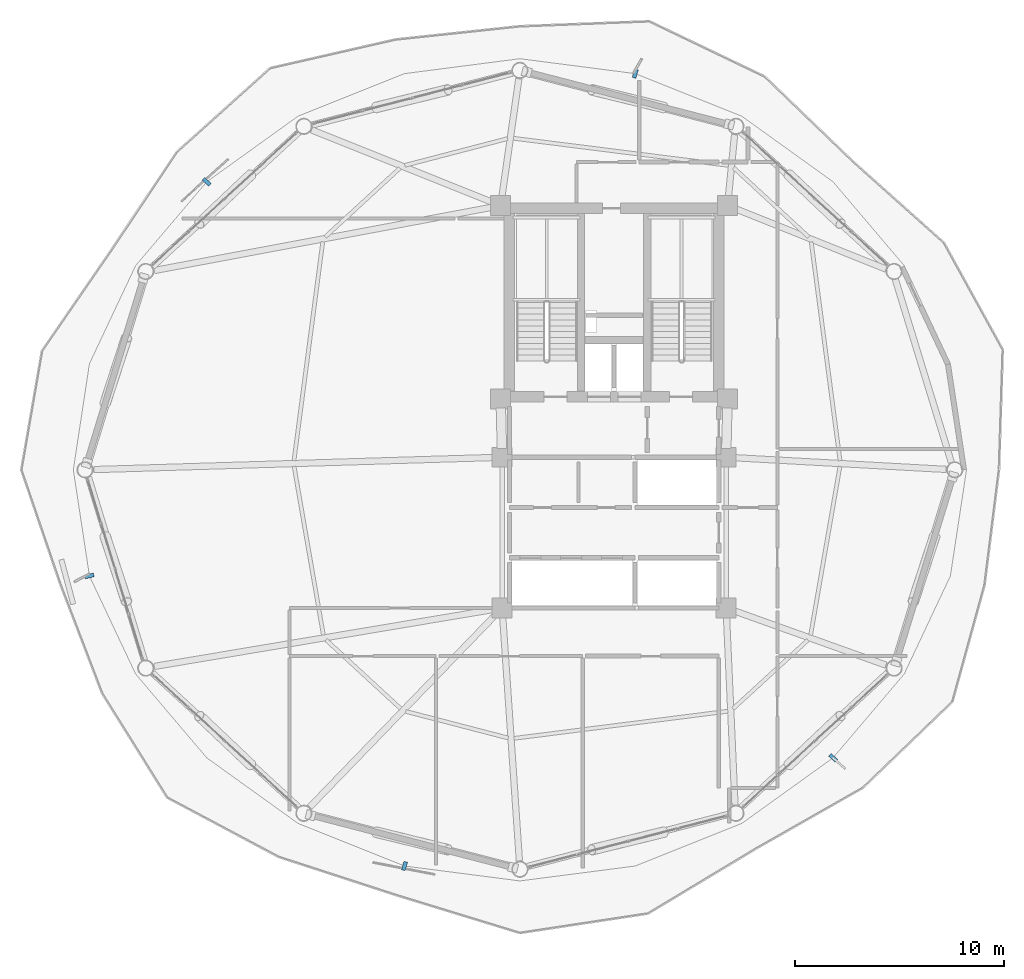
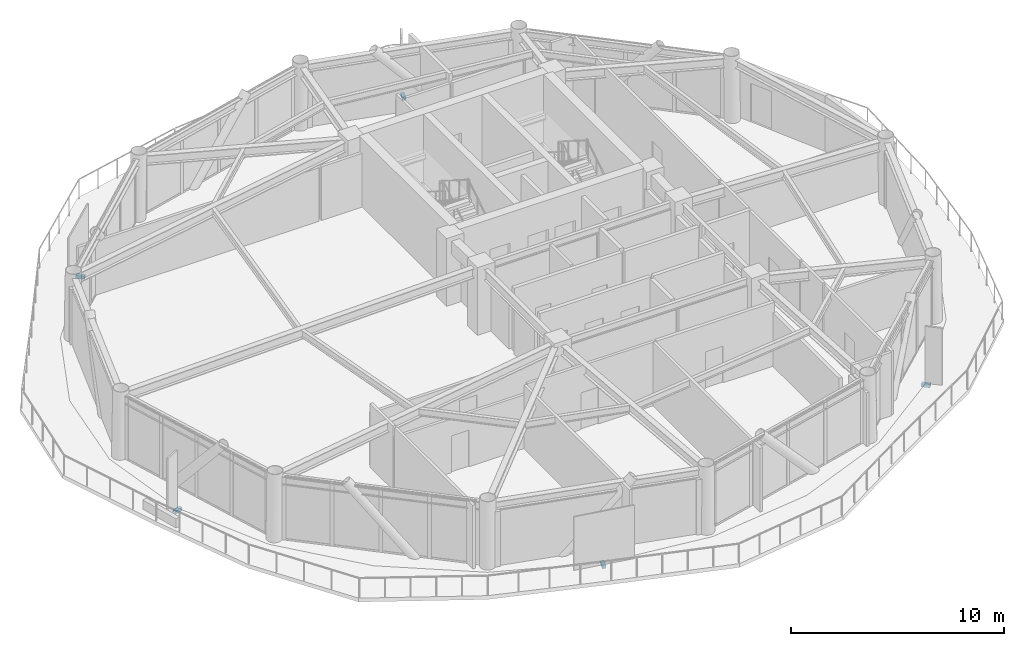
# One storey, part 20 of 23: 5 discrete accessories.
"""IFC4 building model written with IfcOpenShell, lengths in metres."""

import ifcopenshell
import ifcopenshell.guid

model = None  # the IFC model being written
_history = None  # IfcOwnerHistory: only IFC2X3 demands one
_inside = {}  # id of a spatial element -> (the spatial element, [elements in it])
_under = {}  # id of a project, library or spatial element -> (it, [spatial elements below it])
_declared = {}  # id of a project -> (the project, [libraries it declares])
_typed = {}  # id of a type object -> (the type object, [elements of that type])
_made_of = {}  # id of a material, layer set ... -> (it, [elements and type objects made of it])


def new_model(schema):
    """Start an empty IFC model of exactly this schema.

    Asked for "IFC4X3", IfcOpenShell would pick the latest addendum, in which some entities
    have other attributes; the version numbers below select the first issue.
    IFC2X3 requires an IfcOwnerHistory on every rooted entity: one is made here for all.
    """
    global model, _history
    if schema == "IFC4X3":
        model = ifcopenshell.file(schema_version=(4, 3, 0, 0))
    else:
        model = ifcopenshell.file(schema=schema)
    _inside.clear()
    _under.clear()
    _declared.clear()
    _typed.clear()
    _made_of.clear()
    _history = None
    if model.schema == "IFC2X3":
        org = make("IfcOrganization", Name="unknown")
        user = make(
            "IfcPersonAndOrganization",
            ThePerson=make("IfcPerson", FamilyName="unknown"),
            TheOrganization=org,
        )
        app = make(
            "IfcApplication",
            ApplicationDeveloper=org,
            Version="unknown",
            ApplicationFullName="unknown",
            ApplicationIdentifier="unknown",
        )
        _history = make(
            "IfcOwnerHistory",
            OwningUser=user,
            OwningApplication=app,
            ChangeAction="ADDED",
            CreationDate=0,
        )
    return model


def make(cls, **values):
    """One entity of the class cls with the attributes given. An attribute that is None is left unset."""
    return model.create_entity(
        cls, **{name: value for name, value in values.items() if value is not None}
    )


def rooted(cls, **values):
    """An entity with a GlobalId (a new one), such as an element, a storey or a relation."""
    return make(cls, GlobalId=ifcopenshell.guid.new(), OwnerHistory=_history, **values)


def si_unit(unit_type, name, prefix=None):
    """IfcSIUnit, for example si_unit("LENGTHUNIT", "METRE", prefix="MILLI")."""
    return make("IfcSIUnit", UnitType=unit_type, Prefix=prefix, Name=name)


def assignment(units):
    """IfcUnitAssignment: the units of a project."""
    return None if units is None else make("IfcUnitAssignment", Units=units)


def point(xyz):
    """IfcCartesianPoint."""
    return None if xyz is None else make("IfcCartesianPoint", Coordinates=xyz)


def direction(xyz):
    """IfcDirection."""
    return None if xyz is None else make("IfcDirection", DirectionRatios=xyz)


def frame(location, z_axis=None, x_axis=None):
    """IfcAxis2Placement3D, a coordinate frame: its origin and axes. An axis left out is left unset."""
    return make(
        "IfcAxis2Placement3D",
        Location=point(location),
        Axis=direction(z_axis),
        RefDirection=direction(x_axis),
    )


def frame_2d(location, x_axis=None):
    """IfcAxis2Placement2D, a coordinate frame in the plane: its origin and x axis."""
    return make(
        "IfcAxis2Placement2D", Location=point(location), RefDirection=direction(x_axis)
    )


def origin():
    """The frame at (0, 0, 0) with its axes left unset."""
    return frame((0.0, 0.0, 0.0))


def origin_2d():
    """The frame at (0, 0) in the plane with its x axis left unset."""
    return frame_2d((0.0, 0.0))


def place(relative_to, where):
    """IfcLocalPlacement: puts the frame where relative to a parent placement (None: the world)."""
    return make(
        "IfcLocalPlacement", PlacementRelTo=relative_to, RelativePlacement=where
    )


def context(
    kind, dimensions, precision=None, world=None, true_north=None, identifier=None
):
    """IfcGeometricRepresentationContext, for example the 3D "Model" context."""
    return make(
        "IfcGeometricRepresentationContext",
        ContextIdentifier=identifier,
        ContextType=kind,
        CoordinateSpaceDimension=dimensions,
        Precision=precision,
        WorldCoordinateSystem=world,
        TrueNorth=true_north,
    )


def subcontext(parent, identifier, kind, view, scale=None):
    """IfcGeometricRepresentationSubContext, for example "Body" below "Model"."""
    return make(
        "IfcGeometricRepresentationSubContext",
        ContextIdentifier=identifier,
        ContextType=kind,
        ParentContext=parent,
        TargetScale=scale,
        TargetView=view,
    )


def project(units=None, contexts=None):
    """IfcProject with its units and contexts."""
    return rooted(
        "IfcProject",
        Name="project",
        RepresentationContexts=contexts,
        UnitsInContext=assignment(units),
    )


def spatial(cls, under=None, at=None, **own):
    """A site, building, storey or space (cls), placed at a placement, below another one or the project."""
    s = rooted(cls, ObjectPlacement=at, **own)
    if under is not None:
        _under.setdefault(under.id(), (under, []))[1].append(s)
    return s


def profile(cls, at=None, kind="AREA", **sizes):
    """A parametric profile (cls). Its sizes go by their IFC names, for example OverallWidth=200.0."""
    return make(cls, ProfileType=kind, Position=at, **sizes)


def rectangle(**sizes):
    """IfcRectangleProfileDef."""
    return profile("IfcRectangleProfileDef", **sizes)


def extrude(swept, where, along, depth):
    """IfcExtrudedAreaSolid: the profile swept, set in the frame where, extruded along a direction by depth."""
    return make(
        "IfcExtrudedAreaSolid",
        SweptArea=swept,
        Position=where,
        ExtrudedDirection=direction(along),
        Depth=depth,
    )


def shape(context_of_items, identifier, shape_type, items):
    """IfcShapeRepresentation: the items that make up one representation, for example the "Body"."""
    return make(
        "IfcShapeRepresentation",
        ContextOfItems=context_of_items,
        RepresentationIdentifier=identifier,
        RepresentationType=shape_type,
        Items=items,
    )


def source(mapping_origin, context_of_items, identifier, shape_type, items):
    """IfcRepresentationMap: a shape defined once, which mapped items show again and again."""
    return make(
        "IfcRepresentationMap",
        MappingOrigin=mapping_origin,
        MappedRepresentation=shape(context_of_items, identifier, shape_type, items),
    )


def transform(
    local_origin,
    x_axis=None,
    y_axis=None,
    z_axis=None,
    scale=None,
    scale2=None,
    scale3=None,
    uniform=True,
):
    """IfcCartesianTransformationOperator3D, or its non-uniform kind. x_axis, y_axis, z_axis: its Axis1, 2, 3."""
    if uniform:
        return make(
            "IfcCartesianTransformationOperator3D",
            Axis1=direction(x_axis),
            Axis2=direction(y_axis),
            LocalOrigin=point(local_origin),
            Scale=scale,
            Axis3=direction(z_axis),
        )
    return make(
        "IfcCartesianTransformationOperator3DnonUniform",
        Axis1=direction(x_axis),
        Axis2=direction(y_axis),
        LocalOrigin=point(local_origin),
        Scale=scale,
        Axis3=direction(z_axis),
        Scale2=scale2,
        Scale3=scale3,
    )


def mapped(mapping_source, mapping_target):
    """IfcMappedItem: shows the shape of a source again, moved by a transform."""
    return make(
        "IfcMappedItem", MappingSource=mapping_source, MappingTarget=mapping_target
    )


def material(Name=None, Category=None):
    """IfcMaterial."""
    return make("IfcMaterial", Name=Name, Category=Category)


def made_of(thing, what):
    """Note that an element or type object is made of a material, layer set ...; save() writes the relation."""
    if what is not None:
        _made_of.setdefault(what.id(), (what, []))[1].append(thing)
    return thing


def type_object(cls, material=None, **own):
    """A type object (cls), such as IfcWallType, which elements share."""
    return made_of(rooted(cls, **own), material)


def type_shapes(of_type, sources):
    """Give a type object the sources (RepresentationMaps) that its elements show as mapped items."""
    of_type.RepresentationMaps = sources


def element(
    cls,
    number,
    at=None,
    inside=None,
    cuts=None,
    type_object=None,
    material=None,
    context=None,
    identifier="Body",
    shape_type=None,
    held_by="IfcProductDefinitionShape",
    body=None,
    shapes=None,
    **own,
):
    """One element of the class cls, such as IfcWall. Its Tag is "e" and its number.

    at: its placement. inside: the storey or other place that contains it. cuts: it is an
    opening in that element (IfcRelVoidsElement). A single representation is given by context,
    identifier, shape_type and body (its items); several are given by shapes. held_by: the class
    of the entity that holds the representations. save() writes the other relations.
    """
    e = rooted(cls, Tag="e%d" % number, ObjectPlacement=at, **own)
    if body is not None:
        shapes = [shape(context, identifier, shape_type, body)]
    if shapes is not None:
        e.Representation = make(held_by, Representations=shapes)
    if inside is not None:
        _inside.setdefault(inside.id(), (inside, []))[1].append(e)
    if cuts is not None:
        rooted(
            "IfcRelVoidsElement", RelatingBuildingElement=cuts, RelatedOpeningElement=e
        )
    if type_object is not None:
        _typed.setdefault(type_object.id(), (type_object, []))[1].append(e)
    return made_of(e, material)


def aggregate(whole, parts):
    """IfcRelAggregates: a whole, such as a stair, and the parts it consists of."""
    return rooted("IfcRelAggregates", RelatingObject=whole, RelatedObjects=parts)


def save(model, path):
    """Write the relations noted so far, then the file.

    IfcRelAggregates (storeys below a building ...), IfcRelContainedInSpatialStructure (elements
    in a storey), IfcRelDefinesByType, IfcRelAssociatesMaterial and IfcRelDeclares: one each for
    every whole, place, type object, material and project.
    """
    for whole, parts in _under.values():
        aggregate(whole, parts)
    for where, things in _inside.values():
        rooted(
            "IfcRelContainedInSpatialStructure",
            RelatedElements=things,
            RelatingStructure=where,
        )
    for kind, things in _typed.values():
        rooted("IfcRelDefinesByType", RelatedObjects=things, RelatingType=kind)
    for what, things in _made_of.values():
        rooted("IfcRelAssociatesMaterial", RelatedObjects=things, RelatingMaterial=what)
    for by, libraries in _declared.values():
        rooted("IfcRelDeclares", RelatingContext=by, RelatedDefinitions=libraries)
    model.write(path)


model = new_model("IFC4")

# Units and contexts
model_context = context("Model", 3, precision=1e-05, world=origin(), true_north=direction((0.0, 1.0)))
body_context = subcontext(model_context, "Body", "Model", "MODEL_VIEW")
ifc_project = project(units=[si_unit("LENGTHUNIT", "METRE"), si_unit("AREAUNIT", "SQUARE_METRE"), si_unit("VOLUMEUNIT", "CUBIC_METRE"), si_unit("PLANEANGLEUNIT", "RADIAN"), si_unit("MASSUNIT", "GRAM", prefix="KILO")], contexts=[model_context])

# Site, building, storey
site_placement = place(None, origin())
site = spatial("IfcSite", under=ifc_project, at=site_placement, CompositionType="ELEMENT")
building_placement = place(site_placement, origin())
building = spatial("IfcBuilding", under=site, at=building_placement, Name="Varnakorn Sky Granary", CompositionType="ELEMENT")
storey_placement = place(building_placement, frame((0.0, 0.0, 150.0)))
storey = spatial("IfcBuildingStorey", under=building, at=storey_placement, Name="L37", CompositionType="ELEMENT", Elevation=150.0)

# Discrete accessories
ifc_material = material(Name="Steel S355JR", Category="steel")
discrete_accessory_type = type_object("IfcDiscreteAccessoryType", Name="AC-BRK-01", PredefinedType="BRACKET", material=ifc_material)
shared_shape = source(origin(), body_context, "Body", "SweptSolid", [
    extrude(rectangle(XDim=0.179931640625, YDim=0.419921875, at=origin_2d()), origin(), (0.0, 0.0, 1.0), 0.179931640625),
])
type_shapes(discrete_accessory_type, [shared_shape])
for number, where, z_axis, x_axis, name in (
    (1, (4.01220703125, 18.9248046875, -0.2001953125), (0.0, 0.0, 1.0), (-0.960101525506, 0.279651677485, 0.0), "Facade Solar-Screen Outrigger Bracket L37-03"),
    (2, (-16.4609375, 13.755126953125, -0.2001953125), (0.0, 0.0, 1.0), (-0.676820806718, -0.736147808251, 0.0), "Facade Solar-Screen Outrigger Bracket L37-05"),
    (3, (-22.063232421875, -5.068603515625, -0.2001953125), (0.0, 0.0, 1.0), (0.239330933177, -0.970938053855, 0.0), "Facade Solar-Screen Outrigger Bracket L37-07"),
    (4, (-7.01220703125, -18.9248046875, -0.2001953125), (0.0, 0.0, 1.0), (0.960101525506, -0.279651677485, 0.0), "Facade Solar-Screen Outrigger Bracket L37-09"),
    (5, (13.4609375, -13.755126953125, -0.2001953125), (0.0, 0.0, 1.0), (0.676820806718, 0.736147808251, 0.0), "Facade Solar-Screen Outrigger Bracket L37-11"),
):
    element("IfcDiscreteAccessory", number, at=place(storey_placement, frame(where, z_axis=z_axis, x_axis=x_axis)), inside=storey, type_object=discrete_accessory_type, Name=name, PredefinedType="BRACKET", context=body_context, shape_type="MappedRepresentation", body=[
        mapped(shared_shape, transform((0.0, 0.0, 0.0), x_axis=(1.0, 0.0, 0.0), y_axis=(0.0, 1.0, 0.0), z_axis=(0.0, 0.0, 1.0), scale=1.0)),
    ])

save(model, "model.ifc")
